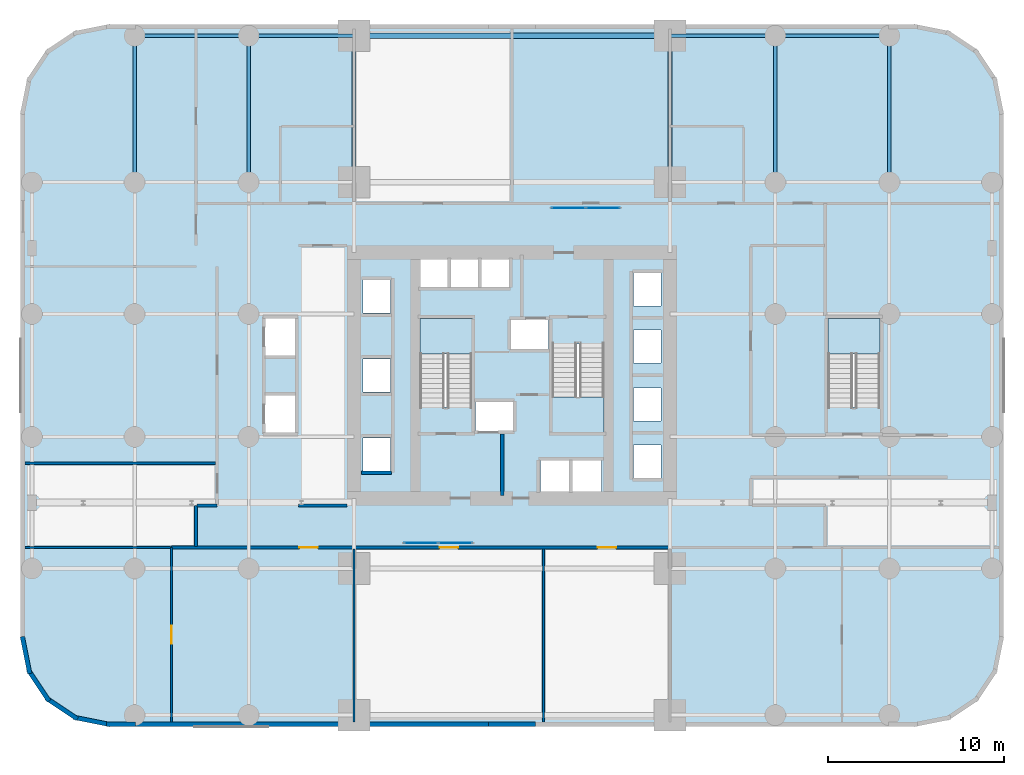
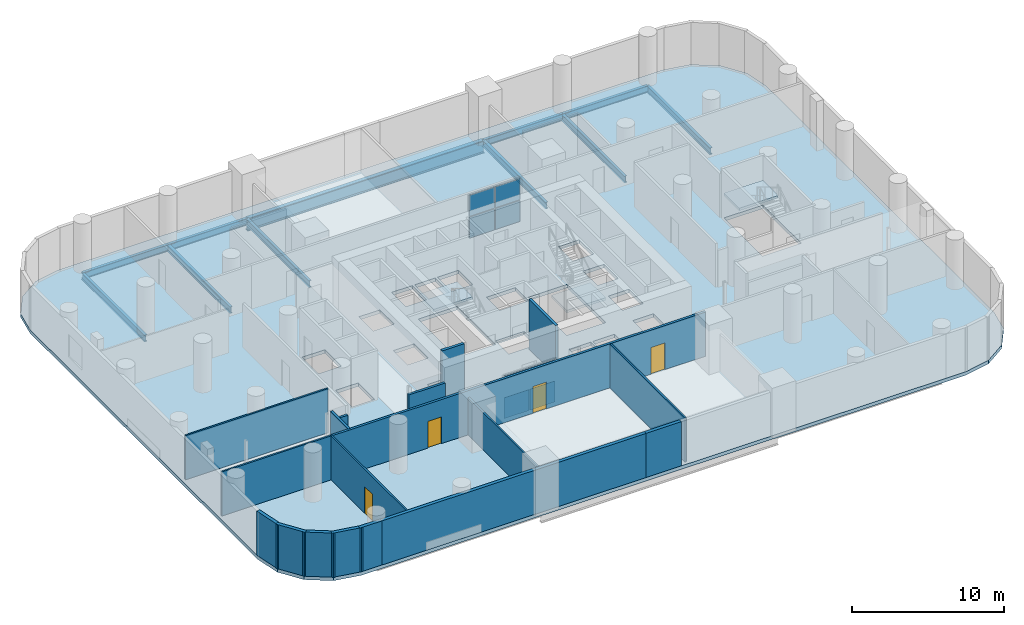
# One storey, part 8 of 15: 18 walls, 11 beams, 8 plates, 4 doors, 4 slabs, 4 openings, 5 elements without a shape of their own.
"""IFC4 building model written with IfcOpenShell, lengths in metres."""

from ifc_helpers import new_model, si_unit, direction, frame, frame_2d, origin, origin_2d, place, context, subcontext, project, spatial, polyline, rectangle, i_section, outline, extrude, material, layer, layer_set, material_profile, profile_set, type_object, element, fill, aggregate, save


model = new_model("IFC4")

# Units and contexts
model_context = context("Model", 3, precision=1e-05, world=origin(), true_north=direction((0.0, 1.0)))
body_context = subcontext(model_context, "Body", "Model", "MODEL_VIEW")
ifc_project = project(units=[si_unit("LENGTHUNIT", "METRE"), si_unit("AREAUNIT", "SQUARE_METRE"), si_unit("VOLUMEUNIT", "CUBIC_METRE"), si_unit("PLANEANGLEUNIT", "RADIAN"), si_unit("MASSUNIT", "GRAM", prefix="KILO")], contexts=[model_context])

# Site, building, storey
site_placement = place(None, origin())
site = spatial("IfcSite", under=ifc_project, at=site_placement, CompositionType="ELEMENT")
building_placement = place(site_placement, origin())
building = spatial("IfcBuilding", under=site, at=building_placement, Name="Veldorim Arch Residences", CompositionType="ELEMENT")
storey_placement = place(building_placement, frame((0.0, 0.0, 16.0)))
storey = spatial("IfcBuildingStorey", under=building, at=storey_placement, Name="L04", CompositionType="ELEMENT", Elevation=16.0)

# Beams
ifc_material_1 = material(Name="Steel S355", Category="steel")
ifc_material_profile_1 = material_profile(ifc_material_1, i_section(OverallWidth=0.2099609375, OverallDepth=0.53662109375, WebThickness=0.0107421875, FlangeThickness=0.017333984375, at=origin_2d()), Name="UB533x210x101")
ifc_profile_set_1 = profile_set([ifc_material_profile_1], Name="Steel S355")
beam_type_1 = type_object("IfcBeamType", Name="Structural Steel Beam UB533x210x101", PredefinedType="BEAM", material=ifc_profile_set_1)
for number, where, z_axis, x_axis, name in (
    (1, (10.5, 35.0, -0.54833984375), (0.0, 1.0, 0.0), (-1.0, 0.0, 0.0), "L04 north-south floor beam (X=10.5, 35.0-43.4)"),
    (2, (17.0, 35.0, -0.54833984375), (0.0, 1.0, 0.0), (-1.0, 0.0, 0.0), "L04 north-south floor beam (X=17.0, 35.0-43.4)"),
    (3, (23.0, 35.0, -0.54833984375), (0.0, 1.0, 0.0), (-1.0, 0.0, 0.0), "L04 north-south floor beam (X=23.0, 35.0-43.4)"),
    (4, (41.0, 35.0, -0.54833984375), (0.0, 1.0, 0.0), (-1.0, 0.0, 0.0), "L04 north-south floor beam (X=41.0, 35.0-43.4)"),
    (5, (47.0, 35.0, -0.54833984375), (0.0, 1.0, 0.0), (-1.0, 0.0, 0.0), "L04 north-south floor beam (X=47.0, 35.0-43.4)"),
    (6, (53.5, 35.0, -0.54833984375), (0.0, 1.0, 0.0), (-1.0, 0.0, 0.0), "L04 north-south floor beam (X=53.5, 35.0-43.4)"),
):
    element("IfcBeam", number, at=place(storey_placement, frame(where, z_axis=z_axis, x_axis=x_axis)), inside=storey, type_object=beam_type_1, Name=name, PredefinedType="BEAM", context=body_context, shape_type="SweptSolid", body=[
        extrude(i_section(OverallWidth=0.2099609375, OverallDepth=0.53662109375, WebThickness=0.0107421875, FlangeThickness=0.017333984375, at=origin_2d()), origin(), (0.0, 0.0, 1.0), 8.35009765625),
    ])
ifc_material_2 = material(Name="Steel S355", Category="steel")
ifc_material_profile_2 = material_profile(ifc_material_2, i_section(OverallWidth=0.2119140625, OverallDepth=0.54443359375, WebThickness=0.0126953125, FlangeThickness=0.021240234375, at=origin_2d()), Name="UB533x210x122")
ifc_profile_set_2 = profile_set([ifc_material_profile_2], Name="Steel S355")
beam_type_2 = type_object("IfcBeamType", Name="Structural Steel Beam UB533x210x122", PredefinedType="BEAM", material=ifc_profile_set_2)
beam_1_placement = place(storey_placement, frame((10.5, 43.35009765625, -0.55224609375), z_axis=(1.0, 0.0, 0.0), x_axis=(0.0, 1.0, 0.0)))
element("IfcBeam", 7, at=beam_1_placement, inside=storey, type_object=beam_type_2, Name="L04 east-west floor beam (10.5-17.0, Y=43.4)", PredefinedType="BEAM", context=body_context, shape_type="SweptSolid", body=[
    extrude(i_section(OverallWidth=0.2119140625, OverallDepth=0.54443359375, WebThickness=0.0126953125, FlangeThickness=0.021240234375, at=origin_2d()), origin(), (0.0, 0.0, 1.0), 6.5),
])
for number, where, z_axis, x_axis, name in (
    (8, (17.0, 43.35009765625, -0.55224609375), (1.0, 0.0, 0.0), (0.0, 1.0, 0.0), "L04 east-west floor beam (17.0-23.0, Y=43.4)"),
    (9, (41.0, 43.35009765625, -0.55224609375), (1.0, 0.0, 0.0), (0.0, 1.0, 0.0), "L04 east-west floor beam (41.0-47.0, Y=43.4)"),
):
    element("IfcBeam", number, at=place(storey_placement, frame(where, z_axis=z_axis, x_axis=x_axis)), inside=storey, type_object=beam_type_2, Name=name, PredefinedType="BEAM", context=body_context, shape_type="SweptSolid", body=[
        extrude(i_section(OverallWidth=0.2119140625, OverallDepth=0.54443359375, WebThickness=0.0126953125, FlangeThickness=0.021240234375, at=origin_2d()), origin(), (0.0, 0.0, 1.0), 6.0),
    ])
beam_2_placement = place(storey_placement, frame((47.0, 43.35009765625, -0.55224609375), z_axis=(1.0, 0.0, 0.0), x_axis=(0.0, 1.0, 0.0)))
element("IfcBeam", 10, at=beam_2_placement, inside=storey, type_object=beam_type_2, Name="L04 east-west floor beam (47.0-53.5, Y=43.4)", PredefinedType="BEAM", context=body_context, shape_type="SweptSolid", body=[
    extrude(i_section(OverallWidth=0.2119140625, OverallDepth=0.54443359375, WebThickness=0.0126953125, FlangeThickness=0.021240234375, at=origin_2d()), origin(), (0.0, 0.0, 1.0), 6.5),
])
ifc_material_3 = material(Name="Steel S460", Category="steel")
ifc_material_profile_3 = material_profile(ifc_material_3, i_section(OverallWidth=0.305419921875, OverallDepth=1.02587890625, WebThickness=0.02685546875, FlangeThickness=0.053955078125, at=origin_2d()), Name="UB1016x305x437")
ifc_profile_set_3 = profile_set([ifc_material_profile_3], Name="Steel S460")
beam_type_3 = type_object("IfcBeamType", Name="Structural Steel GIRDER UB1016x305x437", PredefinedType="USERDEFINED", material=ifc_profile_set_3)
beam_3_placement = place(storey_placement, frame((23.0, 43.35009765625, -0.79296875), z_axis=(1.0, 0.0, 0.0), x_axis=(0.0, 1.0, 0.0)))
element("IfcBeam", 11, at=beam_3_placement, inside=storey, type_object=beam_type_3, Name="L04 east-west floor beam (23.0-41.0, Y=43.4)", ObjectType="GIRDER", PredefinedType="USERDEFINED", context=body_context, shape_type="SweptSolid", body=[
    extrude(i_section(OverallWidth=0.305419921875, OverallDepth=1.02587890625, WebThickness=0.02685546875, FlangeThickness=0.053955078125, at=origin_2d()), origin(), (0.0, 0.0, 1.0), 18.0),
])

# Curtain wall, plates
ifc_material_4 = material(Name="Aluminium", Category="aluminium")
curtain_wall_type = type_object("IfcCurtainWallType", Name="Crown Faceted Fritted Laminated Curtain Wall", PredefinedType="NOTDEFINED", material=ifc_material_4)
curtain_wall_1_placement = place(storey_placement, origin())
curtain_wall_1 = element("IfcCurtainWall", 12, at=curtain_wall_1_placement, inside=storey, type_object=curtain_wall_type, Name="L04 S arch bridge clerestory curtain wall", PredefinedType="NOTDEFINED")
ifc_material_5 = material(Name="Laminated Low-E Glass", Category="glass")
ifc_layer_1 = layer(ifc_material_5, 0.030029296875, Name="Crown Faceted Fritted Laminated Curtain Wall Glazing Panel 30")
ifc_layer_set_1 = layer_set([ifc_layer_1], Name="Laminated Low-E Glass")
plate_type = type_object("IfcPlateType", Name="Crown Faceted Fritted Laminated Curtain Wall Glazing Panel 30", PredefinedType="CURTAIN_PANEL", material=ifc_layer_set_1)
plate_1_placement = place(storey_placement, frame((26.8173828125, 14.449951171875, 0.070068359375), z_axis=(0.0, 0.0, 1.0), x_axis=(1.0, 0.0, 0.0)))
plate_1 = element("IfcPlate", 13, at=plate_1_placement, type_object=plate_type, Name="CW-CRN panel 1.1", PredefinedType="CURTAIN_PANEL", context=body_context, shape_type="SweptSolid", body=[
    extrude(rectangle(XDim=1.89501953125, YDim=0.030029296875, at=origin_2d()), origin(), (0.0, 0.0, 1.0), 1.68505859375),
])
plate_2_placement = place(storey_placement, frame((26.8173828125, 14.449951171875, 1.824951171875), z_axis=(0.0, 0.0, 1.0), x_axis=(1.0, 0.0, 0.0)))
plate_2 = element("IfcPlate", 14, at=plate_2_placement, type_object=plate_type, Name="CW-CRN panel 1.2", PredefinedType="CURTAIN_PANEL", context=body_context, shape_type="SweptSolid", body=[
    extrude(rectangle(XDim=1.89501953125, YDim=0.030029296875, at=origin_2d()), origin(), (0.0, 0.0, 1.0), 1.68505859375),
])
plate_3_placement = place(storey_placement, frame((28.782470703125, 14.449951171875, 0.070068359375), z_axis=(0.0, 0.0, 1.0), x_axis=(1.0, 0.0, 0.0)))
plate_3 = element("IfcPlate", 15, at=plate_3_placement, type_object=plate_type, Name="CW-CRN panel 2.1", PredefinedType="CURTAIN_PANEL", context=body_context, shape_type="SweptSolid", body=[
    extrude(rectangle(XDim=1.89501953125, YDim=0.030029296875, at=origin_2d()), origin(), (0.0, 0.0, 1.0), 1.68505859375),
])
plate_4_placement = place(storey_placement, frame((28.782470703125, 14.449951171875, 1.824951171875), z_axis=(0.0, 0.0, 1.0), x_axis=(1.0, 0.0, 0.0)))
plate_4 = element("IfcPlate", 16, at=plate_4_placement, type_object=plate_type, Name="CW-CRN panel 2.2", PredefinedType="CURTAIN_PANEL", context=body_context, shape_type="SweptSolid", body=[
    extrude(rectangle(XDim=1.89501953125, YDim=0.030029296875, at=origin_2d()), origin(), (0.0, 0.0, 1.0), 1.68505859375),
])
aggregate(curtain_wall_1, [plate_1, plate_2, plate_3, plate_4])

curtain_wall_2_placement = place(storey_placement, origin())
curtain_wall_2 = element("IfcCurtainWall", 17, at=curtain_wall_2_placement, inside=storey, type_object=curtain_wall_type, Name="L04 N arch bridge clerestory curtain wall", PredefinedType="NOTDEFINED")
plate_5_placement = place(storey_placement, frame((35.217529296875, 33.550048828125, 0.070068359375), z_axis=(0.0, 0.0, 1.0), x_axis=(1.0, 0.0, 0.0)))
plate_5 = element("IfcPlate", 18, at=plate_5_placement, type_object=plate_type, Name="CW-CRN panel 1.1", PredefinedType="CURTAIN_PANEL", context=body_context, shape_type="SweptSolid", body=[
    extrude(rectangle(XDim=1.89501953125, YDim=0.030029296875, at=origin_2d()), origin(), (0.0, 0.0, 1.0), 1.68505859375),
])
plate_6_placement = place(storey_placement, frame((35.217529296875, 33.550048828125, 1.824951171875), z_axis=(0.0, 0.0, 1.0), x_axis=(1.0, 0.0, 0.0)))
plate_6 = element("IfcPlate", 19, at=plate_6_placement, type_object=plate_type, Name="CW-CRN panel 1.2", PredefinedType="CURTAIN_PANEL", context=body_context, shape_type="SweptSolid", body=[
    extrude(rectangle(XDim=1.89501953125, YDim=0.030029296875, at=origin_2d()), origin(), (0.0, 0.0, 1.0), 1.68505859375),
])
plate_7_placement = place(storey_placement, frame((37.1826171875, 33.550048828125, 0.070068359375), z_axis=(0.0, 0.0, 1.0), x_axis=(1.0, 0.0, 0.0)))
plate_7 = element("IfcPlate", 20, at=plate_7_placement, type_object=plate_type, Name="CW-CRN panel 2.1", PredefinedType="CURTAIN_PANEL", context=body_context, shape_type="SweptSolid", body=[
    extrude(rectangle(XDim=1.89501953125, YDim=0.030029296875, at=origin_2d()), origin(), (0.0, 0.0, 1.0), 1.68505859375),
])
plate_8_placement = place(storey_placement, frame((37.1826171875, 33.550048828125, 1.824951171875), z_axis=(0.0, 0.0, 1.0), x_axis=(1.0, 0.0, 0.0)))
plate_8 = element("IfcPlate", 21, at=plate_8_placement, type_object=plate_type, Name="CW-CRN panel 2.2", PredefinedType="CURTAIN_PANEL", context=body_context, shape_type="SweptSolid", body=[
    extrude(rectangle(XDim=1.89501953125, YDim=0.030029296875, at=origin_2d()), origin(), (0.0, 0.0, 1.0), 1.68505859375),
])
aggregate(curtain_wall_2, [plate_5, plate_6, plate_7, plate_8])

# Slab
ifc_material_6 = material(Name="Concrete C40/50", Category="concrete")
ifc_layer_2 = layer(ifc_material_6, 0.280029296875, Name="Podium Polyclinic Floor Slab 280")
ifc_layer_set_2 = layer_set([ifc_layer_2], Name="Concrete C40/50")
slab_type_1 = type_object("IfcSlabType", Name="Podium Polyclinic Floor Slab 280", PredefinedType="FLOOR", material=ifc_layer_set_2)
slab_1_placement = place(storey_placement, frame((0.0, 0.0, -0.280029296875)))
element("IfcSlab", 22, at=slab_1_placement, inside=storey, type_object=slab_type_1, Name="L04 outpatient polyclinic floor slab", PredefinedType="FLOOR", context=body_context, shape_type="SweptSolid", body=[
    extrude(outline(polyline([(55.0, 4.0), (56.913330078125, 4.380615234375), (58.535400390625, 5.464599609375), (59.619384765625, 7.086669921875), (60.0, 9.0), (60.0, 39.0), (59.619384765625, 40.913330078125), (58.535400390625, 42.535400390625), (56.913330078125, 43.619384765625), (55.0, 44.0), (9.0, 44.0), (7.086669921875, 43.619384765625), (5.464599609375, 42.535400390625), (4.380615234375, 40.913330078125), (4.0, 39.0), (4.0, 9.0), (4.380615234375, 7.086669921875), (5.464599609375, 5.464599609375), (7.086669921875, 4.380615234375), (9.0, 4.0), (55.0, 4.0)]), holes=[polyline([(23.510009765625, 20.43994140625), (25.090087890625, 20.43994140625), (25.090087890625, 18.56005859375), (23.510009765625, 18.56005859375), (23.510009765625, 20.43994140625)]), polyline([(29.909912109375, 22.544921875), (32.090087890625, 22.544921875), (32.090087890625, 20.81494140625), (29.909912109375, 20.81494140625), (29.909912109375, 22.544921875)]), polyline([(17.93505859375, 22.889892578125), (19.6650390625, 22.889892578125), (19.6650390625, 20.7099609375), (17.93505859375, 20.7099609375), (17.93505859375, 22.889892578125)]), polyline([(23.510009765625, 24.93994140625), (25.090087890625, 24.93994140625), (25.090087890625, 23.06005859375), (23.510009765625, 23.06005859375), (23.510009765625, 24.93994140625)]), polyline([(26.75, 27.25), (29.7099609375, 27.25), (29.7099609375, 22.195068359375), (26.75, 22.195068359375), (26.75, 27.25)]), polyline([(17.93505859375, 27.2900390625), (19.6650390625, 27.2900390625), (19.6650390625, 25.110107421875), (17.93505859375, 25.110107421875), (17.93505859375, 27.2900390625)]), polyline([(23.510009765625, 29.43994140625), (25.090087890625, 29.43994140625), (25.090087890625, 27.56005859375), (23.510009765625, 27.56005859375), (23.510009765625, 29.43994140625)]), polyline([(28.340087890625, 30.7900390625), (28.340087890625, 28.909912109375), (26.760009765625, 28.909912109375), (26.760009765625, 30.7900390625), (28.340087890625, 30.7900390625)]), polyline([(30.090087890625, 30.7900390625), (30.090087890625, 28.909912109375), (28.510009765625, 28.909912109375), (28.510009765625, 30.7900390625), (30.090087890625, 30.7900390625)]), polyline([(30.260009765625, 30.7900390625), (31.840087890625, 30.7900390625), (31.840087890625, 28.909912109375), (30.260009765625, 28.909912109375), (30.260009765625, 30.7900390625)]), polyline([(33.610107421875, 19.2900390625), (35.2900390625, 19.2900390625), (35.2900390625, 17.2099609375), (33.610107421875, 17.2099609375), (33.610107421875, 19.2900390625)]), polyline([(35.409912109375, 19.2900390625), (37.090087890625, 19.2900390625), (37.090087890625, 17.2099609375), (35.409912109375, 17.2099609375), (35.409912109375, 19.2900390625)]), polyline([(40.489990234375, 20.0400390625), (40.489990234375, 18.159912109375), (38.909912109375, 18.159912109375), (38.909912109375, 20.0400390625), (40.489990234375, 20.0400390625)]), polyline([(40.489990234375, 23.2900390625), (40.489990234375, 21.409912109375), (38.909912109375, 21.409912109375), (38.909912109375, 23.2900390625), (40.489990234375, 23.2900390625)]), polyline([(34.2900390625, 25.804931640625), (37.25, 25.804931640625), (37.25, 20.75), (34.2900390625, 20.75), (34.2900390625, 25.804931640625)]), polyline([(50.0, 27.25), (52.9599609375, 27.25), (52.9599609375, 22.195068359375), (50.0, 22.195068359375), (50.0, 27.25)]), polyline([(38.909912109375, 26.590087890625), (40.489990234375, 26.590087890625), (40.489990234375, 24.7099609375), (38.909912109375, 24.7099609375), (38.909912109375, 26.590087890625)]), polyline([(34.090087890625, 27.18505859375), (34.090087890625, 25.455078125), (31.909912109375, 25.455078125), (31.909912109375, 27.18505859375), (34.090087890625, 27.18505859375)]), polyline([(40.489990234375, 29.840087890625), (40.489990234375, 27.9599609375), (38.909912109375, 27.9599609375), (38.909912109375, 29.840087890625), (40.489990234375, 29.840087890625)])]), origin(), (0.0, 0.0, 1.0), 0.280029296875),
])

# Stair, slab
ifc_material_7 = material(Name="Concrete C40/50", Category="concrete")
stair_type = type_object("IfcStairType", Name="Reinforced Concrete Dogleg Exit Staircase", PredefinedType="HALF_TURN_STAIR", material=ifc_material_7)
stair_1_placement = place(storey_placement, origin())
stair_1 = element("IfcStair", 23, at=stair_1_placement, inside=storey, type_object=stair_type, Name="L04 Exit Staircase ST-1", PredefinedType="HALF_TURN_STAIR")
ifc_material_8 = material(Name="Concrete C40/50", Category="concrete")
ifc_layer_3 = layer(ifc_material_8, 0.199951171875, Name="Reinforced Concrete Stair Landing 200")
ifc_layer_set_3 = layer_set([ifc_layer_3], Name="Concrete C40/50")
slab_type_2 = type_object("IfcSlabType", Name="Reinforced Concrete Stair Landing 200", PredefinedType="LANDING", material=ifc_layer_set_3)
slab_2_placement = place(storey_placement, frame((0.0, 0.0, 1.800048828125)))
slab_2 = element("IfcSlab", 24, at=slab_2_placement, type_object=slab_type_2, Name="ST-1 landing 1", PredefinedType="LANDING", context=body_context, shape_type="SweptSolid", body=[
    extrude(outline(polyline([(29.7099609375, 25.22998046875), (29.7099609375, 27.25), (26.75, 27.25), (26.75, 25.22998046875), (29.7099609375, 25.22998046875)])), origin(), (0.0, 0.0, 1.0), 0.199951171875),
])
aggregate(stair_1, [slab_2])

stair_2_placement = place(storey_placement, origin())
stair_2 = element("IfcStair", 25, at=stair_2_placement, inside=storey, type_object=stair_type, Name="L04 Exit Staircase ST-2", PredefinedType="HALF_TURN_STAIR")
slab_3_placement = place(storey_placement, frame((0.0, 0.0, 1.800048828125)))
slab_3 = element("IfcSlab", 26, at=slab_3_placement, type_object=slab_type_2, Name="ST-2 landing 1", PredefinedType="LANDING", context=body_context, shape_type="SweptSolid", body=[
    extrude(outline(polyline([(34.2900390625, 22.77001953125), (34.2900390625, 20.75), (37.25, 20.75), (37.25, 22.77001953125), (34.2900390625, 22.77001953125)])), origin(), (0.0, 0.0, 1.0), 0.199951171875),
])
aggregate(stair_2, [slab_3])

stair_3_placement = place(storey_placement, origin())
stair_3 = element("IfcStair", 27, at=stair_3_placement, inside=storey, type_object=stair_type, Name="L04 Exit Staircase ST-3", PredefinedType="HALF_TURN_STAIR")
slab_4_placement = place(storey_placement, frame((0.0, 0.0, 1.800048828125)))
slab_4 = element("IfcSlab", 28, at=slab_4_placement, type_object=slab_type_2, Name="ST-3 landing 1", PredefinedType="LANDING", context=body_context, shape_type="SweptSolid", body=[
    extrude(outline(polyline([(52.9599609375, 25.22998046875), (52.9599609375, 27.25), (50.0, 27.25), (50.0, 25.22998046875), (52.9599609375, 25.22998046875)])), origin(), (0.0, 0.0, 1.0), 0.199951171875),
])
aggregate(stair_3, [slab_4])

# Wall, opening, door
ifc_material_9 = material(Name="Acoustic Gypsum Board", Category="gypsum")
ifc_layer_4 = layer(ifc_material_9, 0.125, Name="Acoustic Stud Room Partition Wall 125")
ifc_layer_set_4 = layer_set([ifc_layer_4], Name="Acoustic Gypsum Board")
wall_type_1 = type_object("IfcWallType", Name="Acoustic Stud Room Partition Wall 125", PredefinedType="PARTITIONING", material=ifc_layer_set_4)
wall_1_placement = place(storey_placement, frame((12.60009765625, 14.199951171875, 0.0), z_axis=(0.0, 0.0, 1.0), x_axis=(0.0, -1.0, 0.0)))
wall_1 = element("IfcWall", 29, at=wall_1_placement, inside=storey, type_object=wall_type_1, Name="L04 interior wall WL-POD-L04-021", PredefinedType="PARTITIONING", context=body_context, shape_type="SweptSolid", body=[
    extrude(rectangle(XDim=9.949951171875, YDim=0.125, at=frame_2d((4.97509765625, 0.0))), origin(), (0.0, 0.0, 1.0), 3.544921875),
])
opening_1_placement = place(wall_1_placement, frame((4.449951171875, 0.0, 0.0)))
opening_1 = element("IfcOpeningElement", 30, at=opening_1_placement, cuts=wall_1, Name="Opening DR-CLN", PredefinedType="OPENING", context=body_context, shape_type="SweptSolid", body=[
    extrude(rectangle(XDim=1.050048828125, YDim=2.14990234375, at=frame_2d((0.52490234375, 1.074951171875))), frame((0.0, 0.072509765625, 0.0), z_axis=(0.0, -1.0, 0.0), x_axis=(1.0, 0.0, 0.0)), (0.0, 0.0, 1.0), 0.14501953125),
])
ifc_material_10 = material(Name="Timber & Vision Panel", Category="wood")
door_type = type_object("IfcDoorType", Name="Polyclinic Wheelchair-Accessible Consultation Door 1050x2150", OperationType="SINGLE_SWING_LEFT", PredefinedType="DOOR", material=ifc_material_10)
door_1_placement = place(opening_1_placement, origin())
door_1 = element("IfcDoor", 31, at=door_1_placement, inside=storey, type_object=door_type, Name="L04 interior door DR-POD-L04-001", OperationType="SINGLE_SWING_LEFT", OverallHeight=2.14990234375, OverallWidth=1.050048828125, PredefinedType="DOOR", context=body_context, shape_type="SweptSolid", body=[
    extrude(rectangle(XDim=1.050048828125, YDim=2.14990234375, at=frame_2d((0.52490234375, 1.074951171875))), frame((0.0, 0.02490234375, 0.0), z_axis=(0.0, -1.0, 0.0), x_axis=(1.0, 0.0, 0.0)), (0.0, 0.0, 1.0), 0.050048828125),
])
fill(opening_1, door_1)

# Walls
wall_2_placement = place(storey_placement, frame((4.25, 14.199951171875, 0.0), z_axis=(0.0, 0.0, 1.0), x_axis=(1.0, 0.0, 0.0)))
element("IfcWall", 32, at=wall_2_placement, inside=storey, type_object=wall_type_1, Name="L04 interior wall WL-POD-L04-022", PredefinedType="PARTITIONING", context=body_context, shape_type="SweptSolid", body=[
    extrude(rectangle(XDim=8.2900390625, YDim=0.125, at=frame_2d((4.14501953125, 0.0))), origin(), (0.0, 0.0, 1.0), 3.544921875),
])
wall_3_placement = place(storey_placement, frame((23.0, 14.10009765625, 0.0), z_axis=(0.0, 0.0, 1.0), x_axis=(0.0, -1.0, 0.0)))
element("IfcWall", 33, at=wall_3_placement, inside=storey, type_object=wall_type_1, Name="L04 interior wall WL-POD-L04-023", PredefinedType="PARTITIONING", context=body_context, shape_type="SweptSolid", body=[
    extrude(rectangle(XDim=9.85009765625, YDim=0.125, at=frame_2d((4.925048828125, 0.0))), origin(), (0.0, 0.0, 1.0), 3.001220703125),
])
wall_4_placement = place(storey_placement, frame((4.25, 19.0, 0.0), z_axis=(0.0, 0.0, 1.0), x_axis=(1.0, 0.0, 0.0)))
element("IfcWall", 34, at=wall_4_placement, inside=storey, type_object=wall_type_1, Name="L04 interior wall WL-POD-L04-024", PredefinedType="PARTITIONING", context=body_context, shape_type="SweptSolid", body=[
    extrude(rectangle(XDim=10.85009765625, YDim=0.125, at=frame_2d((5.425048828125, 0.0))), origin(), (0.0, 0.0, 1.0), 3.544921875),
])
wall_5_placement = place(storey_placement, frame((33.800048828125, 14.10009765625, 0.0), z_axis=(0.0, 0.0, 1.0), x_axis=(0.0, -1.0, 0.0)))
element("IfcWall", 35, at=wall_5_placement, inside=storey, type_object=wall_type_1, Name="L04 interior wall WL-POD-L04-034", PredefinedType="PARTITIONING", context=body_context, shape_type="SweptSolid", body=[
    extrude(rectangle(XDim=9.85009765625, YDim=0.125, at=frame_2d((4.925048828125, 0.0))), origin(), (0.0, 0.0, 1.0), 3.544921875),
])

# Wall, openings, doors
ifc_material_11 = material(Name="Lightweight Masonry Block & Gypsum", Category="masonry")
ifc_layer_5 = layer(ifc_material_11, 0.179931640625, Name="Compartment & Corridor Fire-Rated Party Wall 180")
ifc_layer_set_5 = layer_set([ifc_layer_5], Name="Lightweight Masonry Block & Gypsum")
wall_type_2 = type_object("IfcWallType", Name="Compartment & Corridor Fire-Rated Party Wall 180", PredefinedType="PARTITIONING", material=ifc_layer_set_5)
wall_6_placement = place(storey_placement, frame((41.02001953125, 14.199951171875, 0.0), z_axis=(0.0, 0.0, 1.0), x_axis=(-1.0, 0.0, 0.0)))
wall_6 = element("IfcWall", 36, at=wall_6_placement, inside=storey, type_object=wall_type_2, Name="L04 interior wall WL-POD-L04-001", PredefinedType="PARTITIONING", context=body_context, shape_type="SweptSolid", body=[
    extrude(rectangle(XDim=28.419921875, YDim=0.179931640625, at=frame_2d((14.2099609375, 0.0))), origin(), (0.0, 0.0, 1.0), 3.544921875),
])
opening_2_placement = place(wall_6_placement, frame((20.0849609375, 0.0, 0.0)))
opening_2 = element("IfcOpeningElement", 37, at=opening_2_placement, cuts=wall_6, Name="Opening DR-CLN", PredefinedType="OPENING", context=body_context, shape_type="SweptSolid", body=[
    extrude(rectangle(XDim=1.050048828125, YDim=2.14990234375, at=frame_2d((0.52490234375, 1.074951171875))), frame((0.0, 0.099853515625, 0.0), z_axis=(0.0, -1.0, 0.0), x_axis=(1.0, 0.0, 0.0)), (0.0, 0.0, 1.0), 0.199951171875),
])
opening_3_placement = place(wall_6_placement, frame((12.094970703125, 0.0, 0.0)))
opening_3 = element("IfcOpeningElement", 38, at=opening_3_placement, cuts=wall_6, Name="Opening DR-CLN", PredefinedType="OPENING", context=body_context, shape_type="SweptSolid", body=[
    extrude(rectangle(XDim=1.050048828125, YDim=2.14990234375, at=frame_2d((0.52490234375, 1.074951171875))), frame((0.0, 0.099853515625, 0.0), z_axis=(0.0, -1.0, 0.0), x_axis=(1.0, 0.0, 0.0)), (0.0, 0.0, 1.0), 0.199951171875),
])
opening_4_placement = place(wall_6_placement, frame((3.094970703125, 0.0, 0.0)))
opening_4 = element("IfcOpeningElement", 39, at=opening_4_placement, cuts=wall_6, Name="Opening DR-CLN", PredefinedType="OPENING", context=body_context, shape_type="SweptSolid", body=[
    extrude(rectangle(XDim=1.050048828125, YDim=2.14990234375, at=frame_2d((0.52490234375, 1.074951171875))), frame((0.0, 0.099853515625, 0.0), z_axis=(0.0, -1.0, 0.0), x_axis=(1.0, 0.0, 0.0)), (0.0, 0.0, 1.0), 0.199951171875),
])
door_2_placement = place(opening_2_placement, origin())
door_2 = element("IfcDoor", 40, at=door_2_placement, inside=storey, type_object=door_type, Name="L04 interior door DR-POD-L04-002", OperationType="SINGLE_SWING_RIGHT", OverallHeight=2.14990234375, OverallWidth=1.050048828125, PredefinedType="DOOR", context=body_context, shape_type="SweptSolid", body=[
    extrude(rectangle(XDim=1.050048828125, YDim=2.14990234375, at=frame_2d((0.52490234375, 1.074951171875))), frame((0.0, 0.02490234375, 0.0), z_axis=(0.0, -1.0, 0.0), x_axis=(1.0, 0.0, 0.0)), (0.0, 0.0, 1.0), 0.050048828125),
])
fill(opening_2, door_2)
door_3_placement = place(opening_3_placement, origin())
door_3 = element("IfcDoor", 41, at=door_3_placement, inside=storey, type_object=door_type, Name="L04 interior door DR-POD-L04-016", OperationType="SINGLE_SWING_RIGHT", OverallHeight=2.14990234375, OverallWidth=1.050048828125, PredefinedType="DOOR", context=body_context, shape_type="SweptSolid", body=[
    extrude(rectangle(XDim=1.050048828125, YDim=2.14990234375, at=frame_2d((0.52490234375, 1.074951171875))), frame((0.0, 0.02490234375, 0.0), z_axis=(0.0, -1.0, 0.0), x_axis=(1.0, 0.0, 0.0)), (0.0, 0.0, 1.0), 0.050048828125),
])
fill(opening_3, door_3)
door_4_placement = place(opening_4_placement, origin())
door_4 = element("IfcDoor", 42, at=door_4_placement, inside=storey, type_object=door_type, Name="L04 interior door DR-POD-L04-017", OperationType="SINGLE_SWING_LEFT", OverallHeight=2.14990234375, OverallWidth=1.050048828125, PredefinedType="DOOR", context=body_context, shape_type="SweptSolid", body=[
    extrude(rectangle(XDim=1.050048828125, YDim=2.14990234375, at=frame_2d((0.52490234375, 1.074951171875))), frame((0.0, 0.02490234375, 0.0), z_axis=(0.0, -1.0, 0.0), x_axis=(1.0, 0.0, 0.0)), (0.0, 0.0, 1.0), 0.050048828125),
])
fill(opening_4, door_4)

# Walls
wall_7_placement = place(storey_placement, frame((14.0, 14.260009765625, 0.0), z_axis=(0.0, 0.0, 1.0), x_axis=(0.0, 1.0, 0.0)))
element("IfcWall", 43, at=wall_7_placement, inside=storey, type_object=wall_type_2, Name="L04 interior wall WL-POD-L04-002", PredefinedType="PARTITIONING", context=body_context, shape_type="SweptSolid", body=[
    extrude(rectangle(XDim=2.340087890625, YDim=0.179931640625, at=frame_2d((1.169921875, 0.0))), origin(), (0.0, 0.0, 1.0), 3.544921875),
])
wall_8_placement = place(storey_placement, frame((14.06005859375, 16.60009765625, 0.0), z_axis=(0.0, 0.0, 1.0), x_axis=(1.0, 0.0, 0.0)))
element("IfcWall", 44, at=wall_8_placement, inside=storey, type_object=wall_type_2, Name="L04 interior wall WL-POD-L04-003", PredefinedType="PARTITIONING", context=body_context, shape_type="SweptSolid", body=[
    extrude(rectangle(XDim=1.139892578125, YDim=0.179931640625, at=frame_2d((0.56982421875, 0.0))), origin(), (0.0, 0.0, 1.0), 2.837890625),
])
wall_9_placement = place(storey_placement, frame((19.830078125, 16.60009765625, 0.0), z_axis=(0.0, 0.0, 1.0), x_axis=(1.0, 0.0, 0.0)))
element("IfcWall", 45, at=wall_9_placement, inside=storey, type_object=wall_type_2, Name="L04 interior wall WL-POD-L04-009", PredefinedType="PARTITIONING", context=body_context, shape_type="SweptSolid", body=[
    extrude(rectangle(XDim=2.77001953125, YDim=0.179931640625, at=frame_2d((1.385009765625, 0.0))), origin(), (0.0, 0.0, 1.0), 2.837890625),
])
ifc_material_12 = material(Name="Concrete C50/60", Category="concrete")
ifc_layer_6 = layer(ifc_material_12, 0.199951171875, Name="Core Stair & Lift Shaft Enclosure Wall 200")
ifc_layer_set_6 = layer_set([ifc_layer_6], Name="Concrete C50/60")
wall_type_3 = type_object("IfcWallType", Name="Core Stair & Lift Shaft Enclosure Wall 200", PredefinedType="SHEAR", material=ifc_layer_set_6)
wall_10_placement = place(storey_placement, frame((31.449951171875, 17.14990234375, 0.0), z_axis=(0.0, 0.0, 1.0), x_axis=(0.0, 1.0, 0.0)))
element("IfcWall", 46, at=wall_10_placement, inside=storey, type_object=wall_type_3, Name="L04 shaft wall WL-FFL1-L04-E", PredefinedType="SHEAR", context=body_context, shape_type="SweptSolid", body=[
    extrude(rectangle(XDim=3.5, YDim=0.199951171875, at=frame_2d((1.75, 0.0))), origin(), (0.0, 0.0, 1.0), 4.0),
])
wall_11_placement = place(storey_placement, frame((23.419921875, 18.4599609375, 0.0), z_axis=(0.0, 0.0, 1.0), x_axis=(1.0, 0.0, 0.0)))
element("IfcWall", 47, at=wall_11_placement, inside=storey, type_object=wall_type_3, Name="L04 shaft wall WL-B2-L04-S", PredefinedType="SHEAR", context=body_context, shape_type="SweptSolid", body=[
    extrude(rectangle(XDim=1.7099609375, YDim=0.199951171875, at=frame_2d((0.85498046875, 0.0))), origin(), (0.0, 0.0, 1.0), 4.0),
])
ifc_material_13 = material(Name="Precast concrete C40/50", Category="concrete")
ifc_layer_7 = layer(ifc_material_13, 0.25, Name="Podium Terracotta Insulated Facade Wall 250")
ifc_layer_set_7 = layer_set([ifc_layer_7], Name="Precast concrete C40/50")
wall_type_4 = type_object("IfcWallType", Name="Podium Terracotta Insulated Facade Wall 250", PredefinedType="SOLIDWALL", material=ifc_layer_set_7)
wall_12_placement = place(storey_placement, frame((4.522705078125, 7.012939453125, 0.0), z_axis=(0.0, 0.0, 1.0), x_axis=(-0.195111965738, 0.980780974951, 0.0)))
element("IfcWall", 48, at=wall_12_placement, inside=storey, type_object=wall_type_4, Name="L04 podium terracotta facade wall 15", PredefinedType="SOLIDWALL", context=body_context, shape_type="SweptSolid", body=[
    extrude(rectangle(XDim=2.15087890625, YDim=0.25, at=frame_2d((1.075439453125, 0.0))), origin(), (0.0, 0.0, 1.0), 3.550048828125),
])
for number, where, z_axis, x_axis, name in (
    (49, (5.6240234375, 5.45068359375, 0.0), (0.0, 0.0, 1.0), (-0.555564214653, 0.831473633615, 0.0), "L04 podium terracotta facade wall 16"),
    (50, (7.2392578125, 4.428955078125, 0.0), (0.0, 0.0, 1.0), (-0.831473633615, 0.555564214653, 0.0), "L04 podium terracotta facade wall 17"),
):
    element("IfcWall", number, at=place(storey_placement, frame(where, z_axis=z_axis, x_axis=x_axis)), inside=storey, type_object=wall_type_4, Name=name, PredefinedType="SOLIDWALL", context=body_context, shape_type="SweptSolid", body=[
        extrude(rectangle(XDim=2.151123046875, YDim=0.25, at=frame_2d((1.07568359375, 0.0))), origin(), (0.0, 0.0, 1.0), 3.550048828125),
    ])
wall_13_placement = place(storey_placement, frame((9.12255859375, 4.10302734375, 0.0), z_axis=(0.0, 0.0, 1.0), x_axis=(-0.980780974951, 0.195111965738, 0.0)))
element("IfcWall", 51, at=wall_13_placement, inside=storey, type_object=wall_type_4, Name="L04 podium terracotta facade wall 18", PredefinedType="SOLIDWALL", context=body_context, shape_type="SweptSolid", body=[
    extrude(rectangle(XDim=2.15087890625, YDim=0.25, at=frame_2d((1.075439453125, 0.0))), origin(), (0.0, 0.0, 1.0), 3.550048828125),
])
wall_14_placement = place(storey_placement, frame((33.35009765625, 4.125, 0.0), z_axis=(0.0, 0.0, 1.0), x_axis=(-1.0, 0.0, 0.0)))
element("IfcWall", 52, at=wall_14_placement, inside=storey, type_object=wall_type_4, Name="L04 podium facade pier wall 19M", PredefinedType="SOLIDWALL", context=body_context, shape_type="SweptSolid", body=[
    extrude(rectangle(XDim=2.7001953125, YDim=0.25, at=frame_2d((1.35009765625, 0.0))), origin(), (0.0, 0.0, 1.0), 3.550048828125),
])
wall_15_placement = place(storey_placement, frame((10.550048828125, 4.125, 0.0), z_axis=(0.0, 0.0, 1.0), x_axis=(-1.0, 0.0, 0.0)))
element("IfcWall", 53, at=wall_15_placement, inside=storey, type_object=wall_type_4, Name="L04 podium facade pier wall 19B", PredefinedType="SOLIDWALL", context=body_context, shape_type="SweptSolid", body=[
    extrude(rectangle(XDim=1.650146484375, YDim=0.25, at=frame_2d((0.8251953125, 0.0))), origin(), (0.0, 0.0, 1.0), 3.550048828125),
])
wall_16_placement = place(storey_placement, frame((30.64990234375, 4.125, 0.0), z_axis=(0.0, 0.0, 1.0), x_axis=(-1.0, 0.0, 0.0)))
element("IfcWall", 54, at=wall_16_placement, inside=storey, type_object=wall_type_4, Name="L04 podium facade wall 19C2", PredefinedType="SOLIDWALL", context=body_context, shape_type="SweptSolid", body=[
    extrude(rectangle(XDim=20.099853515625, YDim=0.25, at=frame_2d((10.0498046875, 0.0))), origin(), (0.0, 0.0, 1.0), 3.550048828125),
])

save(model, "model.ifc")
